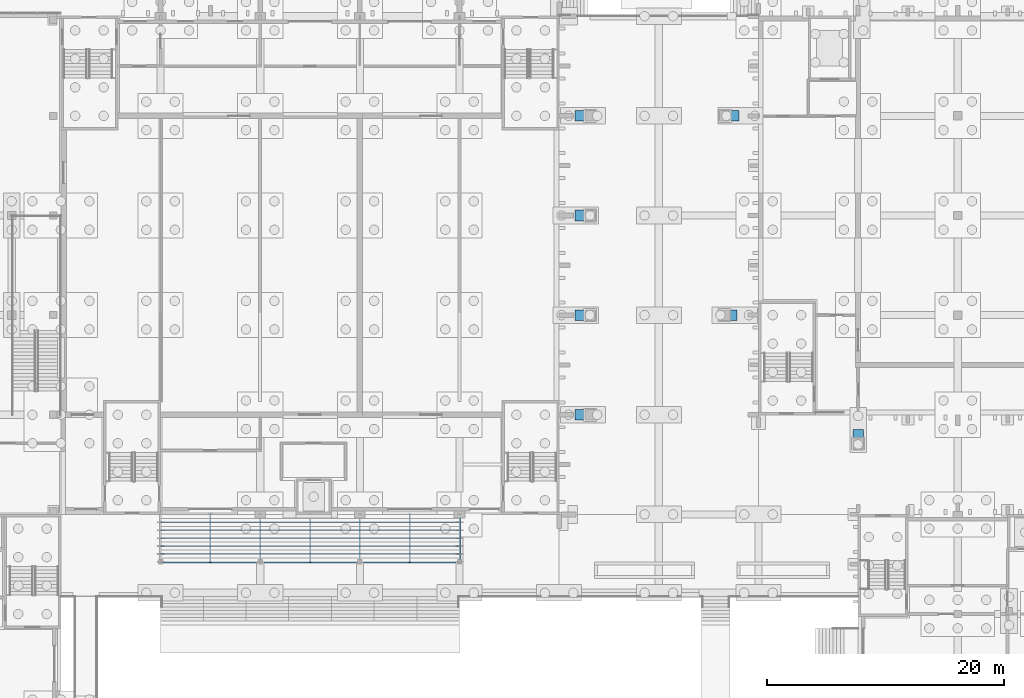
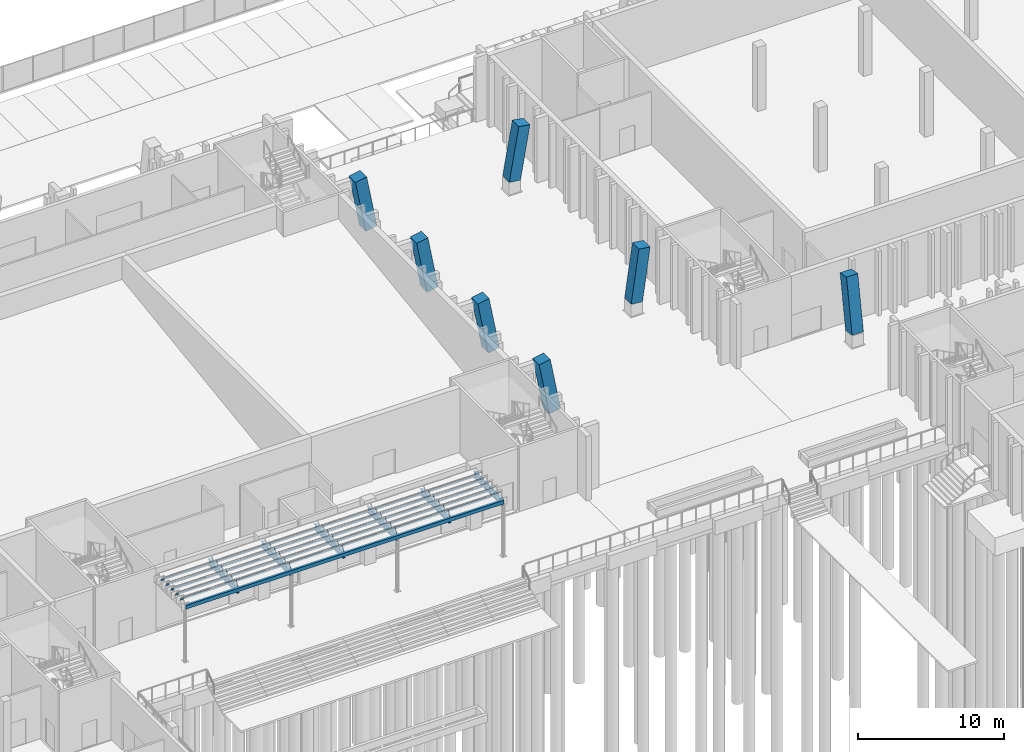
# One storey, part 19 of 129: 13 members, 6 beams.
"""IFC4 building model written with IfcOpenShell, lengths in metres."""

import ifcopenshell
import ifcopenshell.guid

model = None  # the IFC model being written
_history = None  # IfcOwnerHistory: only IFC2X3 demands one
_inside = {}  # id of a spatial element -> (the spatial element, [elements in it])
_under = {}  # id of a project, library or spatial element -> (it, [spatial elements below it])
_declared = {}  # id of a project -> (the project, [libraries it declares])
_typed = {}  # id of a type object -> (the type object, [elements of that type])
_made_of = {}  # id of a material, layer set ... -> (it, [elements and type objects made of it])


def new_model(schema):
    """Start an empty IFC model of exactly this schema.

    Asked for "IFC4X3", IfcOpenShell would pick the latest addendum, in which some entities
    have other attributes; the version numbers below select the first issue.
    IFC2X3 requires an IfcOwnerHistory on every rooted entity: one is made here for all.
    """
    global model, _history
    if schema == "IFC4X3":
        model = ifcopenshell.file(schema_version=(4, 3, 0, 0))
    else:
        model = ifcopenshell.file(schema=schema)
    _inside.clear()
    _under.clear()
    _declared.clear()
    _typed.clear()
    _made_of.clear()
    _history = None
    if model.schema == "IFC2X3":
        org = make("IfcOrganization", Name="unknown")
        user = make(
            "IfcPersonAndOrganization",
            ThePerson=make("IfcPerson", FamilyName="unknown"),
            TheOrganization=org,
        )
        app = make(
            "IfcApplication",
            ApplicationDeveloper=org,
            Version="unknown",
            ApplicationFullName="unknown",
            ApplicationIdentifier="unknown",
        )
        _history = make(
            "IfcOwnerHistory",
            OwningUser=user,
            OwningApplication=app,
            ChangeAction="ADDED",
            CreationDate=0,
        )
    return model


def make(cls, **values):
    """One entity of the class cls with the attributes given. An attribute that is None is left unset."""
    return model.create_entity(
        cls, **{name: value for name, value in values.items() if value is not None}
    )


def rooted(cls, **values):
    """An entity with a GlobalId (a new one), such as an element, a storey or a relation."""
    return make(cls, GlobalId=ifcopenshell.guid.new(), OwnerHistory=_history, **values)


def si_unit(unit_type, name, prefix=None):
    """IfcSIUnit, for example si_unit("LENGTHUNIT", "METRE", prefix="MILLI")."""
    return make("IfcSIUnit", UnitType=unit_type, Prefix=prefix, Name=name)


def assignment(units):
    """IfcUnitAssignment: the units of a project."""
    return None if units is None else make("IfcUnitAssignment", Units=units)


def point(xyz):
    """IfcCartesianPoint."""
    return None if xyz is None else make("IfcCartesianPoint", Coordinates=xyz)


def direction(xyz):
    """IfcDirection."""
    return None if xyz is None else make("IfcDirection", DirectionRatios=xyz)


def frame(location, z_axis=None, x_axis=None):
    """IfcAxis2Placement3D, a coordinate frame: its origin and axes. An axis left out is left unset."""
    return make(
        "IfcAxis2Placement3D",
        Location=point(location),
        Axis=direction(z_axis),
        RefDirection=direction(x_axis),
    )


def frame_2d(location, x_axis=None):
    """IfcAxis2Placement2D, a coordinate frame in the plane: its origin and x axis."""
    return make(
        "IfcAxis2Placement2D", Location=point(location), RefDirection=direction(x_axis)
    )


def origin():
    """The frame at (0, 0, 0) with its axes left unset."""
    return frame((0.0, 0.0, 0.0))


def origin_2d():
    """The frame at (0, 0) in the plane with its x axis left unset."""
    return frame_2d((0.0, 0.0))


def place(relative_to, where):
    """IfcLocalPlacement: puts the frame where relative to a parent placement (None: the world)."""
    return make(
        "IfcLocalPlacement", PlacementRelTo=relative_to, RelativePlacement=where
    )


def context(
    kind, dimensions, precision=None, world=None, true_north=None, identifier=None
):
    """IfcGeometricRepresentationContext, for example the 3D "Model" context."""
    return make(
        "IfcGeometricRepresentationContext",
        ContextIdentifier=identifier,
        ContextType=kind,
        CoordinateSpaceDimension=dimensions,
        Precision=precision,
        WorldCoordinateSystem=world,
        TrueNorth=true_north,
    )


def subcontext(parent, identifier, kind, view, scale=None):
    """IfcGeometricRepresentationSubContext, for example "Body" below "Model"."""
    return make(
        "IfcGeometricRepresentationSubContext",
        ContextIdentifier=identifier,
        ContextType=kind,
        ParentContext=parent,
        TargetScale=scale,
        TargetView=view,
    )


def project(units=None, contexts=None):
    """IfcProject with its units and contexts."""
    return rooted(
        "IfcProject",
        Name="project",
        RepresentationContexts=contexts,
        UnitsInContext=assignment(units),
    )


def spatial(cls, under=None, at=None, **own):
    """A site, building, storey or space (cls), placed at a placement, below another one or the project."""
    s = rooted(cls, ObjectPlacement=at, **own)
    if under is not None:
        _under.setdefault(under.id(), (under, []))[1].append(s)
    return s


def profile(cls, at=None, kind="AREA", **sizes):
    """A parametric profile (cls). Its sizes go by their IFC names, for example OverallWidth=200.0."""
    return make(cls, ProfileType=kind, Position=at, **sizes)


def rectangle(**sizes):
    """IfcRectangleProfileDef."""
    return profile("IfcRectangleProfileDef", **sizes)


def hollow_rectangle(**sizes):
    """IfcRectangleHollowProfileDef."""
    return profile("IfcRectangleHollowProfileDef", **sizes)


def i_section(**sizes):
    """IfcIShapeProfileDef."""
    return profile("IfcIShapeProfileDef", **sizes)


def extrude(swept, where, along, depth):
    """IfcExtrudedAreaSolid: the profile swept, set in the frame where, extruded along a direction by depth."""
    return make(
        "IfcExtrudedAreaSolid",
        SweptArea=swept,
        Position=where,
        ExtrudedDirection=direction(along),
        Depth=depth,
    )


def shape(context_of_items, identifier, shape_type, items):
    """IfcShapeRepresentation: the items that make up one representation, for example the "Body"."""
    return make(
        "IfcShapeRepresentation",
        ContextOfItems=context_of_items,
        RepresentationIdentifier=identifier,
        RepresentationType=shape_type,
        Items=items,
    )


def material(Name=None, Category=None):
    """IfcMaterial."""
    return make("IfcMaterial", Name=Name, Category=Category)


def material_profile(
    of_material, cross_section, Name=None, Category=None, Priority=None
):
    """IfcMaterialProfile: a cross section and its material."""
    return make(
        "IfcMaterialProfile",
        Name=Name,
        Material=of_material,
        Profile=cross_section,
        Priority=Priority,
        Category=Category,
    )


def profile_set(profiles, Name=None, composite=None):
    """IfcMaterialProfileSet."""
    return make(
        "IfcMaterialProfileSet",
        Name=Name,
        MaterialProfiles=profiles,
        CompositeProfile=composite,
    )


def made_of(thing, what):
    """Note that an element or type object is made of a material, layer set ...; save() writes the relation."""
    if what is not None:
        _made_of.setdefault(what.id(), (what, []))[1].append(thing)
    return thing


def type_object(cls, material=None, **own):
    """A type object (cls), such as IfcWallType, which elements share."""
    return made_of(rooted(cls, **own), material)


def element(
    cls,
    number,
    at=None,
    inside=None,
    cuts=None,
    type_object=None,
    material=None,
    context=None,
    identifier="Body",
    shape_type=None,
    held_by="IfcProductDefinitionShape",
    body=None,
    shapes=None,
    **own,
):
    """One element of the class cls, such as IfcWall. Its Tag is "e" and its number.

    at: its placement. inside: the storey or other place that contains it. cuts: it is an
    opening in that element (IfcRelVoidsElement). A single representation is given by context,
    identifier, shape_type and body (its items); several are given by shapes. held_by: the class
    of the entity that holds the representations. save() writes the other relations.
    """
    e = rooted(cls, Tag="e%d" % number, ObjectPlacement=at, **own)
    if body is not None:
        shapes = [shape(context, identifier, shape_type, body)]
    if shapes is not None:
        e.Representation = make(held_by, Representations=shapes)
    if inside is not None:
        _inside.setdefault(inside.id(), (inside, []))[1].append(e)
    if cuts is not None:
        rooted(
            "IfcRelVoidsElement", RelatingBuildingElement=cuts, RelatedOpeningElement=e
        )
    if type_object is not None:
        _typed.setdefault(type_object.id(), (type_object, []))[1].append(e)
    return made_of(e, material)


def aggregate(whole, parts):
    """IfcRelAggregates: a whole, such as a stair, and the parts it consists of."""
    return rooted("IfcRelAggregates", RelatingObject=whole, RelatedObjects=parts)


def save(model, path):
    """Write the relations noted so far, then the file.

    IfcRelAggregates (storeys below a building ...), IfcRelContainedInSpatialStructure (elements
    in a storey), IfcRelDefinesByType, IfcRelAssociatesMaterial and IfcRelDeclares: one each for
    every whole, place, type object, material and project.
    """
    for whole, parts in _under.values():
        aggregate(whole, parts)
    for where, things in _inside.values():
        rooted(
            "IfcRelContainedInSpatialStructure",
            RelatedElements=things,
            RelatingStructure=where,
        )
    for kind, things in _typed.values():
        rooted("IfcRelDefinesByType", RelatedObjects=things, RelatingType=kind)
    for what, things in _made_of.values():
        rooted("IfcRelAssociatesMaterial", RelatedObjects=things, RelatingMaterial=what)
    for by, libraries in _declared.values():
        rooted("IfcRelDeclares", RelatingContext=by, RelatedDefinitions=libraries)
    model.write(path)


model = new_model("IFC4")

# Units and contexts
model_context = context("Model", 3, precision=1e-05, world=origin(), true_north=direction((0.0, 1.0)))
body_context = subcontext(model_context, "Body", "Model", "MODEL_VIEW")
ifc_project = project(units=[si_unit("LENGTHUNIT", "METRE"), si_unit("AREAUNIT", "SQUARE_METRE"), si_unit("VOLUMEUNIT", "CUBIC_METRE"), si_unit("PLANEANGLEUNIT", "RADIAN"), si_unit("MASSUNIT", "GRAM", prefix="KILO")], contexts=[model_context])

# Site, building, storey
site_placement = place(None, origin())
site = spatial("IfcSite", under=ifc_project, at=site_placement, CompositionType="ELEMENT")
building_placement = place(site_placement, origin())
building = spatial("IfcBuilding", under=site, at=building_placement, Name="Kiln Court Media Centre", CompositionType="ELEMENT")
storey_placement = place(building_placement, origin())
storey = spatial("IfcBuildingStorey", under=building, at=storey_placement, Name="L00", CompositionType="ELEMENT", Elevation=0.0)

# Members
ifc_material_1 = material(Name="Concrete C40/50", Category="concrete")
ifc_material_profile_1 = material_profile(ifc_material_1, rectangle(XDim=0.89990234375, YDim=0.89990234375, at=origin_2d()), Name="RC 900x900")
ifc_profile_set_1 = profile_set([ifc_material_profile_1], Name="Concrete C40/50")
member_type_1 = type_object("IfcMemberType", Name="Concrete C40/50 raked column 900x900", PredefinedType="STRUT", material=ifc_profile_set_1)
for number, where, z_axis, x_axis, name in (
    (1, (103.413330078125, 33.60009765625, 1.0), (-0.183491490805, 0.0, 0.983021298244), (0.0, -1.0, 0.0), "L00-M-1000"),
    (2, (103.413330078125, 42.0, 1.0), (-0.183491490805, 0.0, 0.983021298244), (0.0, -1.0, 0.0), "L00-M-1001"),
    (3, (103.413330078125, 50.39990234375, 1.0), (-0.183491490805, 0.0, 0.983021298244), (0.0, -1.0, 0.0), "L00-M-1002"),
    (4, (103.413330078125, 58.800048828125, 1.0), (-0.183491490805, 0.0, 0.983021298244), (0.0, -1.0, 0.0), "L00-M-1003"),
):
    element("IfcMember", number, at=place(storey_placement, frame(where, z_axis=z_axis, x_axis=x_axis)), inside=storey, type_object=member_type_1, Name=name, PredefinedType="STRUT", context=body_context, shape_type="SweptSolid", body=[
        extrude(rectangle(XDim=0.89990234375, YDim=0.89990234375, at=origin_2d()), origin(), (0.0, 0.0, 1.0), 4.475830078125),
    ])
member_1_placement = place(storey_placement, frame((126.0, 31.17333984375, 1.0), z_axis=(0.0, 0.17079663137, 0.985306302991), x_axis=(-1.0, 0.0, 0.0)))
element("IfcMember", 5, at=member_1_placement, inside=storey, type_object=member_type_1, Name="L00-M-1007", PredefinedType="STRUT", context=body_context, shape_type="SweptSolid", body=[
    extrude(rectangle(XDim=0.89990234375, YDim=0.89990234375, at=origin_2d()), origin(), (0.0, 0.0, 1.0), 4.465576171875),
])
member_2_placement = place(storey_placement, frame((114.73974609375, 42.0, 1.0), z_axis=(0.138320137316, 0.0, 0.990387570405), x_axis=(0.0, 1.0, 0.0)))
element("IfcMember", 6, at=member_2_placement, inside=storey, type_object=member_type_1, Name="L00-M-1012", PredefinedType="STRUT", context=body_context, shape_type="SweptSolid", body=[
    extrude(rectangle(XDim=0.89990234375, YDim=0.89990234375, at=origin_2d()), origin(), (0.0, 0.0, 1.0), 4.442626953125),
])
member_3_placement = place(storey_placement, frame((114.772705078125, 58.800048828125, 1.0), z_axis=(0.170212688548, 0.0, 0.985407347576), x_axis=(0.0, 1.0, 0.0)))
element("IfcMember", 7, at=member_3_placement, inside=storey, type_object=member_type_1, Name="L00-M-1013", PredefinedType="STRUT", context=body_context, shape_type="SweptSolid", body=[
    extrude(rectangle(XDim=0.89990234375, YDim=0.89990234375, at=origin_2d()), origin(), (0.0, 0.0, 1.0), 4.465087890625),
])
ifc_material_2 = material(Name="Steel ASTM A500 Gr C", Category="steel")
ifc_material_profile_2 = material_profile(ifc_material_2, hollow_rectangle(XDim=0.080078125, YDim=0.1201171875, WallThickness=0.00634765625, at=origin_2d()), Name="RHS 120x80x6.3")
ifc_profile_set_2 = profile_set([ifc_material_profile_2], Name="Steel ASTM A500 Gr C")
member_type_2 = type_object("IfcMemberType", Name="Steel ASTM A500 Gr C RHS 120x80x6.3 canopy rib", PredefinedType="BRACE", material=ifc_profile_set_2)
for number, where, z_axis, x_axis, name in (
    (8, (67.199951171875, 21.86669921875, 4.760009765625), (1.0, 0.0, 0.0), (0.0, 1.0, 0.0), "canopy fold purlin 1 canopy rib"),
    (9, (67.199951171875, 22.533203125, 4.760009765625), (1.0, 0.0, 0.0), (0.0, 1.0, 0.0), "canopy fold purlin 2 canopy rib"),
    (10, (67.199951171875, 23.199951171875, 4.760009765625), (1.0, 0.0, 0.0), (0.0, 1.0, 0.0), "canopy fold purlin 3 canopy rib"),
    (11, (67.199951171875, 23.86669921875, 4.760009765625), (1.0, 0.0, 0.0), (0.0, 1.0, 0.0), "canopy fold purlin 4 canopy rib"),
    (12, (67.199951171875, 24.533203125, 4.760009765625), (1.0, 0.0, 0.0), (0.0, 1.0, 0.0), "canopy fold purlin 5 canopy rib"),
):
    element("IfcMember", number, at=place(storey_placement, frame(where, z_axis=z_axis, x_axis=x_axis)), inside=storey, type_object=member_type_2, Name=name, PredefinedType="BRACE", context=body_context, shape_type="SweptSolid", body=[
        extrude(hollow_rectangle(XDim=0.080078125, YDim=0.1201171875, WallThickness=0.00634765625, at=origin_2d()), origin(), (0.0, 0.0, 1.0), 25.199951171875),
    ])
ifc_material_3 = material(Name="Steel ASTM A500 Gr C", Category="steel")
ifc_material_profile_3 = material_profile(ifc_material_3, hollow_rectangle(XDim=0.199951171875, YDim=0.300048828125, WallThickness=0.010009765625, at=origin_2d()), Name="RHS 300x200x10.0")
ifc_profile_set_3 = profile_set([ifc_material_profile_3], Name="Steel ASTM A500 Gr C")
member_type_3 = type_object("IfcMemberType", Name="Steel ASTM A500 Gr C RHS 300x200x10.0 canopy rib", PredefinedType="BRACE", material=ifc_profile_set_3)
member_4_placement = place(storey_placement, frame((67.199951171875, 21.199951171875, 4.550048828125), z_axis=(1.0, 0.0, 0.0), x_axis=(0.0, 1.0, 0.0)))
element("IfcMember", 13, at=member_4_placement, inside=storey, type_object=member_type_3, Name="canopy tip edge member canopy rib", PredefinedType="BRACE", context=body_context, shape_type="SweptSolid", body=[
    extrude(hollow_rectangle(XDim=0.199951171875, YDim=0.300048828125, WallThickness=0.010009765625, at=origin_2d()), origin(), (0.0, 0.0, 1.0), 25.199951171875),
])

# Beams
ifc_material_4 = material(Name="Steel ASTM A572 Gr 50", Category="steel")
ifc_material_profile_4 = material_profile(ifc_material_4, i_section(OverallWidth=0.199951171875, OverallDepth=0.5, WebThickness=0.01025390625, FlangeThickness=0.01611328125, FilletRadius=0.02099609375, at=origin_2d()), Name="IPE 500")
ifc_profile_set_4 = profile_set([ifc_material_profile_4], Name="Steel ASTM A572 Gr 50")
beam_type = type_object("IfcBeamType", Name="Steel ASTM A572 Gr 50 IPE 500 canopy beam", PredefinedType="BEAM", material=ifc_profile_set_4)
for number, where, z_axis, x_axis, name in (
    (14, (71.39990234375, 21.199951171875, 4.449951171875), (0.0, 1.0, 0.0), (-1.0, 0.0, 0.0), "canopy rib 2 canopy beam"),
    (15, (75.60009765625, 21.199951171875, 4.449951171875), (0.0, 1.0, 0.0), (-1.0, 0.0, 0.0), "canopy rib 3 canopy beam"),
    (16, (79.800048828125, 21.199951171875, 4.449951171875), (0.0, 1.0, 0.0), (-1.0, 0.0, 0.0), "canopy rib 4 canopy beam"),
    (17, (84.0, 21.199951171875, 4.449951171875), (0.0, 1.0, 0.0), (-1.0, 0.0, 0.0), "canopy rib 5 canopy beam"),
    (18, (88.199951171875, 21.199951171875, 4.449951171875), (0.0, 1.0, 0.0), (-1.0, 0.0, 0.0), "canopy rib 6 canopy beam"),
    (19, (92.39990234375, 21.199951171875, 4.449951171875), (0.0, 1.0, 0.0), (-1.0, 0.0, 0.0), "canopy rib 7 canopy beam"),
):
    element("IfcBeam", number, at=place(storey_placement, frame(where, z_axis=z_axis, x_axis=x_axis)), inside=storey, type_object=beam_type, Name=name, PredefinedType="BEAM", context=body_context, shape_type="SweptSolid", body=[
        extrude(i_section(OverallWidth=0.199951171875, OverallDepth=0.5, WebThickness=0.01025390625, FlangeThickness=0.01611328125, FilletRadius=0.02099609375, at=origin_2d()), origin(), (0.0, 0.0, 1.0), 4.001953125),
    ])

save(model, "model.ifc")
